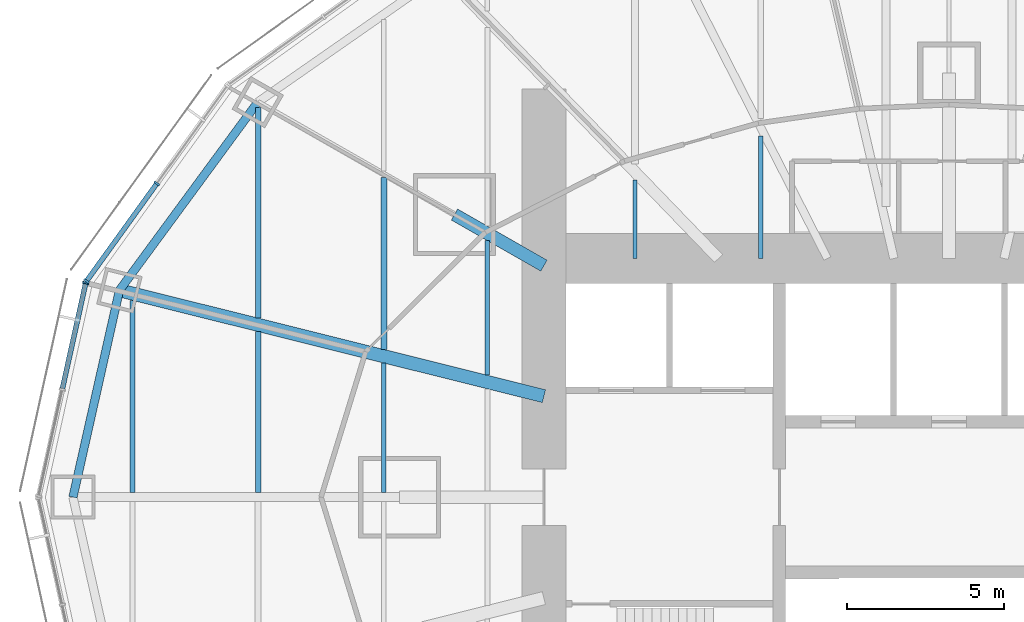
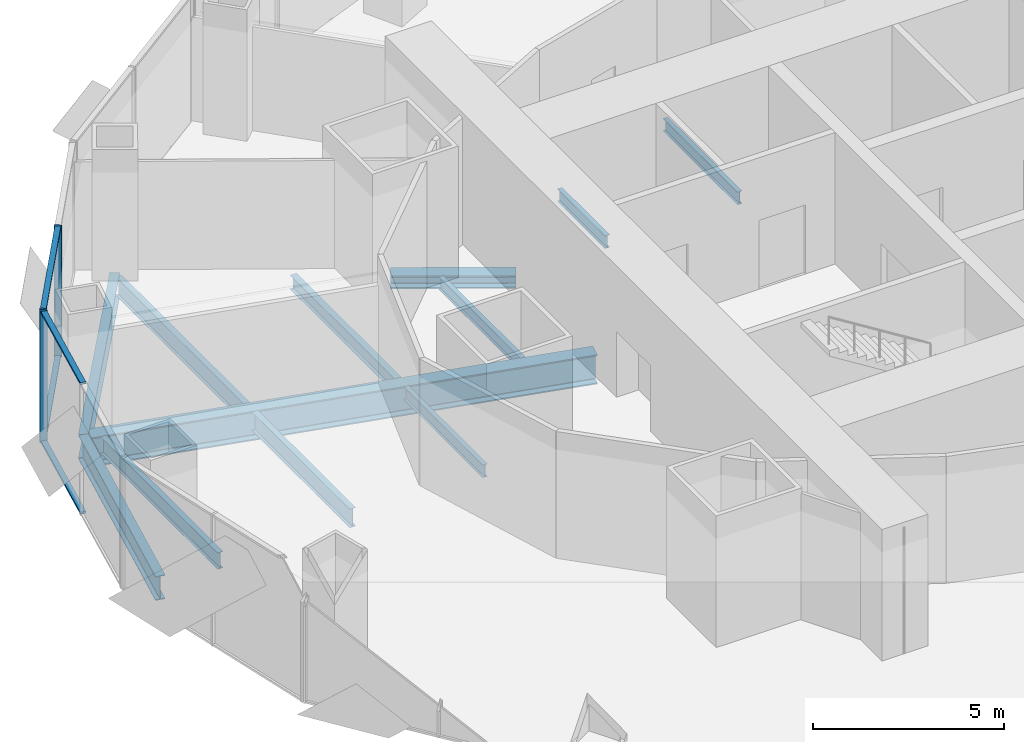
# One storey, part 4 of 18: 12 beams, 7 members, 2 elements without a shape of their own.
"""IFC4 building model written with IfcOpenShell, lengths in metres."""

from ifc_helpers import new_model, si_unit, direction, frame, origin, origin_2d, place, context, subcontext, project, spatial, rectangle, i_section, extrude, material, material_profile, profile_set, type_object, element, aggregate, save


model = new_model("IFC4")

# Units and contexts
model_context = context("Model", 3, precision=1e-05, world=origin(), true_north=direction((0.0, 1.0)))
body_context = subcontext(model_context, "Body", "Model", "MODEL_VIEW")
ifc_project = project(units=[si_unit("LENGTHUNIT", "METRE"), si_unit("AREAUNIT", "SQUARE_METRE"), si_unit("VOLUMEUNIT", "CUBIC_METRE"), si_unit("PLANEANGLEUNIT", "RADIAN"), si_unit("MASSUNIT", "GRAM", prefix="KILO")], contexts=[model_context])

# Site, building, storey
site_placement = place(None, origin())
site = spatial("IfcSite", under=ifc_project, at=site_placement, CompositionType="ELEMENT")
building_placement = place(site_placement, origin())
building = spatial("IfcBuilding", under=site, at=building_placement, Name="Lantaw Convention Tower", CompositionType="ELEMENT")
storey_placement = place(building_placement, frame((0.0, 0.0, 134.199951171875)))
storey = spatial("IfcBuildingStorey", under=building, at=storey_placement, Name="L31", CompositionType="ELEMENT", Elevation=134.199951171875)

# Beams
ifc_material_1 = material(Name="Steel ASTM A992", Category="steel")
ifc_material_profile_1 = material_profile(ifc_material_1, i_section(OverallWidth=0.2666015625, OverallDepth=0.76953125, WebThickness=0.015625, FlangeThickness=0.025390625, FilletRadius=0.0126953125, at=origin_2d()), Name="W30X132")
ifc_profile_set_1 = profile_set([ifc_material_profile_1], Name="Steel ASTM A992")
beam_type_1 = type_object("IfcBeamType", Name="Beam E W30X132", PredefinedType="SPANDREL", material=ifc_profile_set_1)
beam_1_placement = place(storey_placement, frame((-22.013916015625, 12.579345703125, -0.53466796875), z_axis=(-0.5923891972, -0.805651934176, 0.0), x_axis=(0.805651934176, -0.5923891972, 0.0)))
element("IfcBeam", 1, at=beam_1_placement, inside=storey, type_object=beam_type_1, Name="Edge beam 11", PredefinedType="SPANDREL", context=body_context, shape_type="SweptSolid", body=[
    extrude(i_section(OverallWidth=0.2666015625, OverallDepth=0.76953125, WebThickness=0.015625, FlangeThickness=0.025390625, FilletRadius=0.0126953125, at=origin_2d()), origin(), (0.0, 0.0, 1.0), 7.437744140625),
])
beam_2_placement = place(storey_placement, frame((-26.419921875, 6.587158203125, -0.53466796875), z_axis=(-0.219211877447, -0.975677279015, 0.0), x_axis=(0.975677279015, -0.219211877447, 0.0)))
element("IfcBeam", 2, at=beam_2_placement, inside=storey, type_object=beam_type_1, Name="Edge beam 12", PredefinedType="SPANDREL", context=body_context, shape_type="SweptSolid", body=[
    extrude(i_section(OverallWidth=0.2666015625, OverallDepth=0.76953125, WebThickness=0.015625, FlangeThickness=0.025390625, FilletRadius=0.0126953125, at=origin_2d()), origin(), (0.0, 0.0, 1.0), 6.75146484375),
])
ifc_material_profile_2 = material_profile(ifc_material_1, i_section(OverallWidth=0.421630859375, OverallDepth=0.937255859375, WebThickness=0.0224609375, FlangeThickness=0.039794921875, FilletRadius=0.02001953125, at=origin_2d()), Name="W36X282")
ifc_profile_set_2 = profile_set([ifc_material_profile_2], Name="Steel ASTM A992")
beam_type_2 = type_object("IfcBeamType", Name="Beam G W36X282", PredefinedType="BEAM", material=ifc_profile_set_2)
beam_3_placement = place(storey_placement, frame((-12.89990234375, 3.21630859375, -0.61865234375), z_axis=(-0.970296903132, 0.24191717544, 0.0), x_axis=(-0.24191717544, -0.970296903132, 0.0)))
element("IfcBeam", 3, at=beam_3_placement, inside=storey, type_object=beam_type_2, Name="Floor girder on ray 12", PredefinedType="BEAM", context=body_context, shape_type="SweptSolid", body=[
    extrude(i_section(OverallWidth=0.421630859375, OverallDepth=0.937255859375, WebThickness=0.0224609375, FlangeThickness=0.039794921875, FilletRadius=0.02001953125, at=origin_2d()), origin(), (0.0, 0.0, 1.0), 13.933837890625),
])
ifc_material_profile_3 = material_profile(ifc_material_1, i_section(OverallWidth=0.40380859375, OverallDepth=0.406494140625, WebThickness=0.027099609375, FlangeThickness=0.043701171875, FilletRadius=0.01513671875, at=origin_2d()), Name="W14X233")
ifc_profile_set_3 = profile_set([ifc_material_profile_3], Name="Steel ASTM A992")
beam_type_3 = type_object("IfcBeamType", Name="Beam GM W14X233", PredefinedType="BEAM", material=ifc_profile_set_3)
beam_4_placement = place(storey_placement, frame((-12.89990234375, 7.371337890625, -0.353271484375), z_axis=(-0.868238565244, 0.496146947811, 0.0), x_axis=(-0.496146947811, -0.868238565244, 0.0)))
element("IfcBeam", 4, at=beam_4_placement, inside=storey, type_object=beam_type_3, Name="Core link beam on ray 11", PredefinedType="BEAM", context=body_context, shape_type="SweptSolid", body=[
    extrude(i_section(OverallWidth=0.40380859375, OverallDepth=0.406494140625, WebThickness=0.027099609375, FlangeThickness=0.043701171875, FilletRadius=0.01513671875, at=origin_2d()), origin(), (0.0, 0.0, 1.0), 3.28271484375),
])
ifc_material_profile_4 = material_profile(ifc_material_1, i_section(OverallWidth=0.140380859375, OverallDepth=0.40380859375, WebThickness=0.007080078125, FlangeThickness=0.01123046875, FilletRadius=0.01025390625, at=origin_2d()), Name="W16X31")
ifc_profile_set_4 = profile_set([ifc_material_profile_4], Name="Steel ASTM A992")
beam_type_4 = type_object("IfcBeamType", Name="Beam J W16X31", PredefinedType="JOIST", material=ifc_profile_set_4)
beam_5_placement = place(storey_placement, frame((-18.0, 0.14599609375, -0.351806640625), z_axis=(0.0, 1.0, 0.0), x_axis=(-1.0, 0.0, 0.0)))
element("IfcBeam", 5, at=beam_5_placement, inside=storey, type_object=beam_type_4, Name="Floor joist", PredefinedType="JOIST", context=body_context, shape_type="SweptSolid", body=[
    extrude(i_section(OverallWidth=0.140380859375, OverallDepth=0.40380859375, WebThickness=0.007080078125, FlangeThickness=0.01123046875, FilletRadius=0.01025390625, at=origin_2d()), origin(), (0.0, 0.0, 1.0), 4.124755859375),
])
beam_6_placement = place(storey_placement, frame((-14.699951171875, 3.88232421875, -0.351806640625), z_axis=(0.0, 1.0, 0.0), x_axis=(-1.0, 0.0, 0.0)))
element("IfcBeam", 6, at=beam_6_placement, inside=storey, type_object=beam_type_4, Name="Floor joist", PredefinedType="JOIST", context=body_context, shape_type="SweptSolid", body=[
    extrude(i_section(OverallWidth=0.140380859375, OverallDepth=0.40380859375, WebThickness=0.007080078125, FlangeThickness=0.01123046875, FilletRadius=0.01025390625, at=origin_2d()), origin(), (0.0, 0.0, 1.0), 4.28515625),
])
beam_7_placement = place(storey_placement, frame((-10.0, 7.60009765625, -0.351806640625), z_axis=(0.0, 1.0, 0.0), x_axis=(-1.0, 0.0, 0.0)))
element("IfcBeam", 7, at=beam_7_placement, inside=storey, type_object=beam_type_4, Name="Floor joist", PredefinedType="JOIST", context=body_context, shape_type="SweptSolid", body=[
    extrude(i_section(OverallWidth=0.140380859375, OverallDepth=0.40380859375, WebThickness=0.007080078125, FlangeThickness=0.01123046875, FilletRadius=0.01025390625, at=origin_2d()), origin(), (0.0, 0.0, 1.0), 2.49560546875),
])
beam_8_placement = place(storey_placement, frame((-6.0, 7.60009765625, -0.351806640625), z_axis=(0.0, 1.0, 0.0), x_axis=(-1.0, 0.0, 0.0)))
element("IfcBeam", 8, at=beam_8_placement, inside=storey, type_object=beam_type_4, Name="Floor joist", PredefinedType="JOIST", context=body_context, shape_type="SweptSolid", body=[
    extrude(i_section(OverallWidth=0.140380859375, OverallDepth=0.40380859375, WebThickness=0.007080078125, FlangeThickness=0.01123046875, FilletRadius=0.01025390625, at=origin_2d()), origin(), (0.0, 0.0, 1.0), 3.895751953125),
])
ifc_material_profile_5 = material_profile(ifc_material_1, i_section(OverallWidth=0.1904296875, OverallDepth=0.457275390625, WebThickness=0.009033203125, FlangeThickness=0.014404296875, FilletRadius=0.01025390625, at=origin_2d()), Name="W18X50")
ifc_profile_set_5 = profile_set([ifc_material_profile_5], Name="Steel ASTM A992")
beam_type_5 = type_object("IfcBeamType", Name="Beam J W18X50", PredefinedType="JOIST", material=ifc_profile_set_5)
beam_9_placement = place(storey_placement, frame((-18.0, 4.705078125, -0.378662109375), z_axis=(0.0, 1.0, 0.0), x_axis=(-1.0, 0.0, 0.0)))
element("IfcBeam", 9, at=beam_9_placement, inside=storey, type_object=beam_type_5, Name="Floor joist", PredefinedType="JOIST", context=body_context, shape_type="SweptSolid", body=[
    extrude(i_section(OverallWidth=0.1904296875, OverallDepth=0.457275390625, WebThickness=0.009033203125, FlangeThickness=0.014404296875, FilletRadius=0.01025390625, at=origin_2d()), origin(), (0.0, 0.0, 1.0), 5.47802734375),
])
ifc_material_profile_6 = material_profile(ifc_material_1, i_section(OverallWidth=0.1650390625, OverallDepth=0.52587890625, WebThickness=0.0087890625, FlangeThickness=0.011474609375, FilletRadius=0.0126953125, at=origin_2d()), Name="W21X44")
ifc_profile_set_6 = profile_set([ifc_material_profile_6], Name="Steel ASTM A992")
beam_type_6 = type_object("IfcBeamType", Name="Beam J W21X44", PredefinedType="JOIST", material=ifc_profile_set_6)
beam_10_placement = place(storey_placement, frame((-26.0, 0.14599609375, -0.412841796875), z_axis=(0.0, 1.0, 0.0), x_axis=(-1.0, 0.0, 0.0)))
element("IfcBeam", 10, at=beam_10_placement, inside=storey, type_object=beam_type_6, Name="Floor joist", PredefinedType="JOIST", context=body_context, shape_type="SweptSolid", body=[
    extrude(i_section(OverallWidth=0.1650390625, OverallDepth=0.52587890625, WebThickness=0.0087890625, FlangeThickness=0.011474609375, FilletRadius=0.0126953125, at=origin_2d()), origin(), (0.0, 0.0, 1.0), 6.119140625),
])
ifc_material_profile_7 = material_profile(ifc_material_1, i_section(OverallWidth=0.177978515625, OverallDepth=0.599365234375, WebThickness=0.010009765625, FlangeThickness=0.012939453125, FilletRadius=0.012939453125, at=origin_2d()), Name="W24X55")
ifc_profile_set_7 = profile_set([ifc_material_profile_7], Name="Steel ASTM A992")
beam_type_7 = type_object("IfcBeamType", Name="Beam J W24X55", PredefinedType="JOIST", material=ifc_profile_set_7)
beam_11_placement = place(storey_placement, frame((-22.0, 0.14599609375, -0.44970703125), z_axis=(0.0, 1.0, 0.0), x_axis=(-1.0, 0.0, 0.0)))
element("IfcBeam", 11, at=beam_11_placement, inside=storey, type_object=beam_type_7, Name="Floor joist", PredefinedType="JOIST", context=body_context, shape_type="SweptSolid", body=[
    extrude(i_section(OverallWidth=0.177978515625, OverallDepth=0.599365234375, WebThickness=0.010009765625, FlangeThickness=0.012939453125, FilletRadius=0.012939453125, at=origin_2d()), origin(), (0.0, 0.0, 1.0), 5.121826171875),
])
beam_12_placement = place(storey_placement, frame((-22.0, 5.702392578125, -0.44970703125), z_axis=(0.0, 1.0, 0.0), x_axis=(-1.0, 0.0, 0.0)))
element("IfcBeam", 12, at=beam_12_placement, inside=storey, type_object=beam_type_7, Name="Floor joist", PredefinedType="JOIST", context=body_context, shape_type="SweptSolid", body=[
    extrude(i_section(OverallWidth=0.177978515625, OverallDepth=0.599365234375, WebThickness=0.010009765625, FlangeThickness=0.012939453125, FilletRadius=0.012939453125, at=origin_2d()), origin(), (0.0, 0.0, 1.0), 6.70654296875),
])

# Curtain wall, members
ifc_material_2 = material(Name="Aluminium framed curtain wall", Category="aluminium")
curtain_wall_type = type_object("IfcCurtainWallType", Name="Office curtain wall low rise, pale aluminium", PredefinedType="USERDEFINED", material=ifc_material_2)
curtain_wall_1_placement = place(storey_placement, origin())
curtain_wall_1 = element("IfcCurtainWall", 13, at=curtain_wall_1_placement, inside=storey, type_object=curtain_wall_type, Name="Office curtain wall low rise, pale aluminium L31", ObjectType="UNITISED CURTAIN WALL", PredefinedType="USERDEFINED")
ifc_material_3 = material(Name="Aluminium 6063-T6", Category="aluminium")
ifc_material_profile_8 = material_profile(ifc_material_3, rectangle(XDim=0.199951171875, YDim=0.06494140625, at=origin_2d()), Name="CW-O1 mullion 65x200")
ifc_profile_set_8 = profile_set([ifc_material_profile_8], Name="Aluminium 6063-T6")
member_type_1 = type_object("IfcMemberType", Name="CW-O1 mullion 65x200", PredefinedType="MULLION", material=ifc_profile_set_8)
member_1_placement = place(storey_placement, frame((-25.22802734375, 9.9892578125, -0.14990234375), z_axis=(0.0, 0.0, 1.0), x_axis=(0.811384633629, -0.584512597221, 0.0)))
member_1 = element("IfcMember", 14, at=member_1_placement, type_object=member_type_1, Name="CW-O1 mullion 2", PredefinedType="MULLION", context=body_context, shape_type="SweptSolid", body=[
    extrude(rectangle(XDim=0.199951171875, YDim=0.06494140625, at=origin_2d()), origin(), (0.0, 0.0, 1.0), 4.199951171875),
])
member_2_placement = place(storey_placement, frame((-27.46826171875, 6.879638671875, -0.14990234375), z_axis=(0.0, 0.0, 1.0), x_axis=(0.811384633629, -0.584512597221, 0.0)))
member_2 = element("IfcMember", 15, at=member_2_placement, type_object=member_type_1, Name="CW-O1 mullion 3", PredefinedType="MULLION", context=body_context, shape_type="SweptSolid", body=[
    extrude(rectangle(XDim=0.199951171875, YDim=0.06494140625, at=origin_2d()), origin(), (0.0, 0.0, 1.0), 4.199951171875),
])

# Curtain wall, member
curtain_wall_2_placement = place(storey_placement, origin())
curtain_wall_2 = element("IfcCurtainWall", 16, at=curtain_wall_2_placement, inside=storey, type_object=curtain_wall_type, Name="Office curtain wall low rise, pale aluminium L31", ObjectType="UNITISED CURTAIN WALL", PredefinedType="USERDEFINED")
member_3_placement = place(storey_placement, frame((-27.494140625, 6.821533203125, -0.14990234375), z_axis=(0.0, 0.0, 1.0), x_axis=(0.9764936509, -0.215546166174, 0.0)))
member_3 = element("IfcMember", 17, at=member_3_placement, type_object=member_type_1, Name="CW-O1 mullion 1", PredefinedType="MULLION", context=body_context, shape_type="SweptSolid", body=[
    extrude(rectangle(XDim=0.199951171875, YDim=0.06494140625, at=origin_2d()), origin(), (0.0, 0.0, 1.0), 4.199951171875),
])

# Member
ifc_material_profile_9 = material_profile(ifc_material_3, rectangle(XDim=0.159912109375, YDim=0.06494140625, at=origin_2d()), Name="CW-O1 transom 65x160")
ifc_profile_set_9 = profile_set([ifc_material_profile_9], Name="Aluminium 6063-T6")
member_type_2 = type_object("IfcMemberType", Name="CW-O1 transom 65x160", PredefinedType="USERDEFINED", material=ifc_profile_set_9)
member_4_placement = place(storey_placement, frame((-25.2470703125, 9.962890625, -0.117431640625), z_axis=(-0.584512973979, -0.811384362217, 0.0), x_axis=(0.811384362217, -0.584512973979, 0.0)))
member_4 = element("IfcMember", 18, at=member_4_placement, type_object=member_type_2, Name="CW-O1 transom 2.1", ObjectType="TRANSOM", PredefinedType="USERDEFINED", context=body_context, shape_type="SweptSolid", body=[
    extrude(rectangle(XDim=0.159912109375, YDim=0.06494140625, at=origin_2d()), origin(), (0.0, 0.0, 1.0), 3.767578125),
])

member_5_placement = place(storey_placement, frame((-25.2470703125, 9.962890625, 4.017578125), z_axis=(-0.584512973979, -0.811384362217, 0.0), x_axis=(0.811384362217, -0.584512973979, 0.0)))
member_5 = element("IfcMember", 19, at=member_5_placement, type_object=member_type_2, Name="CW-O1 transom 2.2", ObjectType="TRANSOM", PredefinedType="USERDEFINED", context=body_context, shape_type="SweptSolid", body=[
    extrude(rectangle(XDim=0.159912109375, YDim=0.06494140625, at=origin_2d()), origin(), (0.0, 0.0, 1.0), 3.767578125),
])

aggregate(curtain_wall_1, [member_1, member_2, member_4, member_5])

member_6_placement = place(storey_placement, frame((-27.501220703125, 6.789794921875, -0.117431640625), z_axis=(-0.21555115847, -0.976492548913, 0.0), x_axis=(0.976492548913, -0.21555115847, 0.0)))
member_6 = element("IfcMember", 20, at=member_6_placement, type_object=member_type_2, Name="CW-O1 transom 1.1", ObjectType="TRANSOM", PredefinedType="USERDEFINED", context=body_context, shape_type="SweptSolid", body=[
    extrude(rectangle(XDim=0.159912109375, YDim=0.06494140625, at=origin_2d()), origin(), (0.0, 0.0, 1.0), 3.411376953125),
])

member_7_placement = place(storey_placement, frame((-27.501220703125, 6.789794921875, 4.017578125), z_axis=(-0.21555115847, -0.976492548913, 0.0), x_axis=(0.976492548913, -0.21555115847, 0.0)))
member_7 = element("IfcMember", 21, at=member_7_placement, type_object=member_type_2, Name="CW-O1 transom 1.2", ObjectType="TRANSOM", PredefinedType="USERDEFINED", context=body_context, shape_type="SweptSolid", body=[
    extrude(rectangle(XDim=0.159912109375, YDim=0.06494140625, at=origin_2d()), origin(), (0.0, 0.0, 1.0), 3.411376953125),
])

aggregate(curtain_wall_2, [member_3, member_6, member_7])

save(model, "model.ifc")
